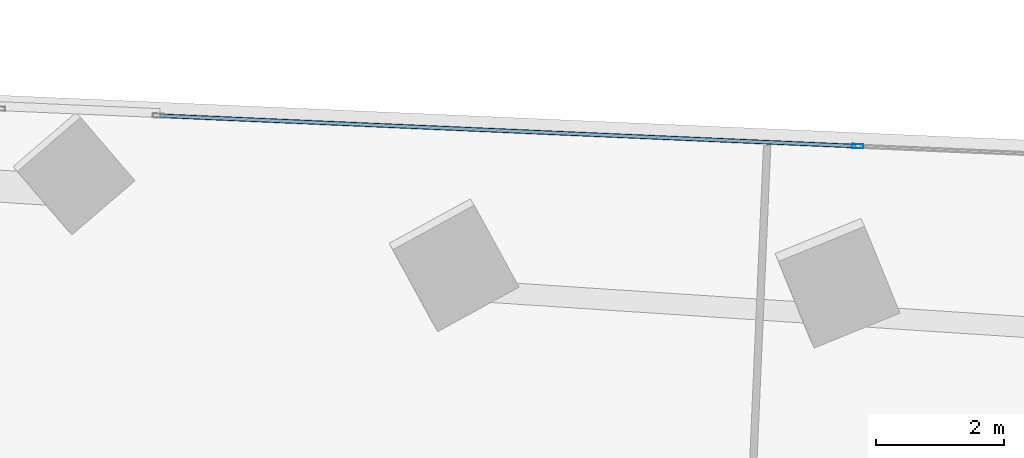
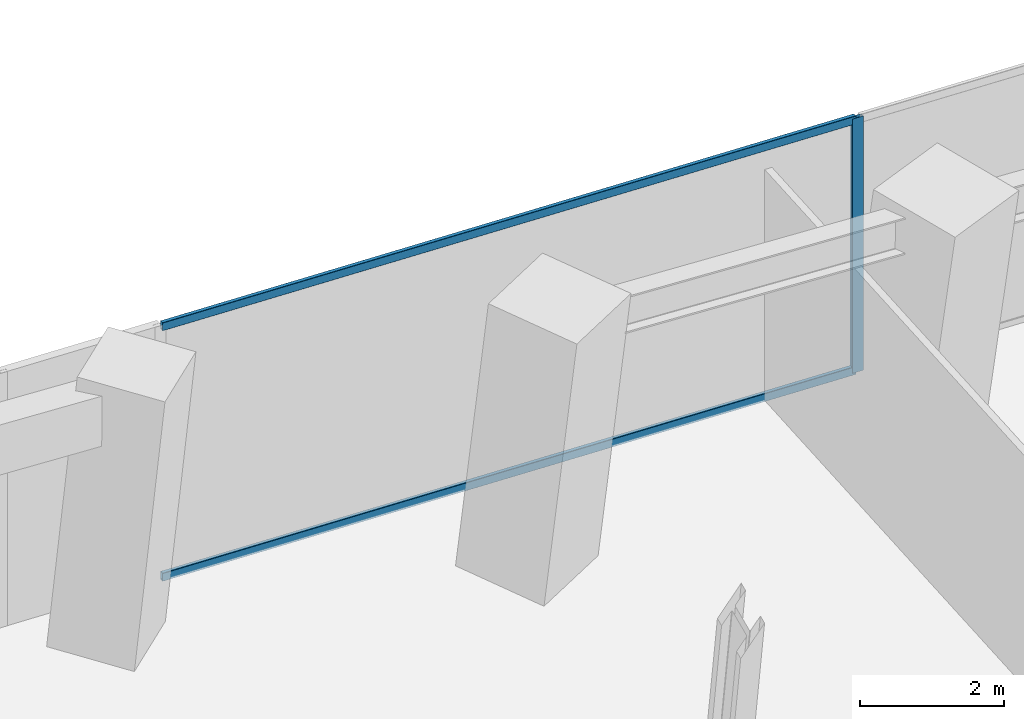
# One storey, part 19 of 27: 3 members, 1 element without a shape of its own.
"""IFC4 building model written with IfcOpenShell, lengths in metres."""

from ifc_helpers import new_model, si_unit, direction, frame, origin, origin_2d, place, context, subcontext, project, spatial, hollow_rectangle, extrude, source, transform, mapped, material, material_profile, profile_set, type_object, element, aggregate, save


model = new_model("IFC4")

# Units and contexts
model_context = context("Model", 3, precision=1e-05, world=origin(), true_north=direction((0.0, 1.0)))
body_context = subcontext(model_context, "Body", "Model", "MODEL_VIEW")
ifc_project = project(units=[si_unit("LENGTHUNIT", "METRE"), si_unit("AREAUNIT", "SQUARE_METRE"), si_unit("VOLUMEUNIT", "CUBIC_METRE"), si_unit("PLANEANGLEUNIT", "RADIAN"), si_unit("MASSUNIT", "GRAM", prefix="KILO")], contexts=[model_context])

# Site, building, storey
site_placement = place(None, origin())
site = spatial("IfcSite", under=ifc_project, at=site_placement, CompositionType="ELEMENT")
building_placement = place(site_placement, origin())
building = spatial("IfcBuilding", under=site, at=building_placement, Name="Torre Montelarca", CompositionType="ELEMENT")
storey_placement = place(building_placement, frame((0.0, 0.0, 37.60009765625)))
storey = spatial("IfcBuildingStorey", under=building, at=storey_placement, Name="L08", CompositionType="ELEMENT", Elevation=37.60009765625)

# Curtain wall, members
ifc_material_1 = material(Name="Insulated low-E laminated glass", Category="glass")
curtain_wall_type = type_object("IfcCurtainWallType", Name="CW-SYS-Z1", PredefinedType="USERDEFINED", material=ifc_material_1)
curtain_wall_placement = place(storey_placement, origin())
curtain_wall = element("IfcCurtainWall", 1, at=curtain_wall_placement, inside=storey, type_object=curtain_wall_type, Name="L08 Curtain Wall Run CW-T3-L08-E08-B1", ObjectType="UNITISED GLAZING", PredefinedType="USERDEFINED")
ifc_material_2 = material(Name="Anodised aluminium AA 6063-T6", Category="aluminium")
ifc_material_profile_1 = material_profile(ifc_material_2, hollow_rectangle(XDim=0.06494140625, YDim=0.179931640625, WallThickness=0.00390625, InnerFilletRadius=0.00390625, OuterFilletRadius=0.008056640625, at=origin_2d()), Name="ALU65X180X4", Category="aluminium")
ifc_profile_set_1 = profile_set([ifc_material_profile_1], Name="Anodised aluminium AA 6063-T6")
member_type_1 = type_object("IfcMemberType", Name="CWM-ALU180", PredefinedType="MULLION", material=ifc_profile_set_1)
shared_shape_1 = source(origin(), body_context, "Body", "SweptSolid", [
    extrude(hollow_rectangle(XDim=0.06494140625, YDim=0.179931640625, WallThickness=0.00390625, InnerFilletRadius=0.00390625, OuterFilletRadius=0.008056640625, at=origin_2d()), origin(), (0.0, 0.0, 1.0), 4.31982421875),
])
member_1_placement = place(storey_placement, frame((48.939208984375, 46.88720703125, 0.0), z_axis=(0.0, 0.0, 1.0), x_axis=(-0.043617607028, -0.999048299311, 0.0)))
member_1 = element("IfcMember", 2, at=member_1_placement, type_object=member_type_1, Name="CW mullion 2", PredefinedType="MULLION", context=body_context, shape_type="MappedRepresentation", body=[
    mapped(shared_shape_1, transform((0.0, 0.0, 0.0), scale=1.0)),
])
ifc_material_profile_2 = material_profile(ifc_material_2, hollow_rectangle(XDim=0.06494140625, YDim=0.139892578125, WallThickness=0.00390625, InnerFilletRadius=0.00390625, OuterFilletRadius=0.008056640625, at=origin_2d()), Name="ALU65X140X4", Category="aluminium")
ifc_profile_set_2 = profile_set([ifc_material_profile_2], Name="Anodised aluminium AA 6063-T6")
member_type_2 = type_object("IfcMemberType", Name="CWT-ALU140", PredefinedType="USERDEFINED", material=ifc_profile_set_2)
shared_shape_2 = source(origin(), body_context, "Body", "SweptSolid", [
    extrude(hollow_rectangle(XDim=0.06494140625, YDim=0.139892578125, WallThickness=0.00390625, InnerFilletRadius=0.00390625, OuterFilletRadius=0.008056640625, at=origin_2d()), origin(), (0.0, 0.0, 1.0), 10.87255859375),
])
member_2_placement = place(storey_placement, frame((48.90673828125, 46.888671875, 0.032470703125), z_axis=(-0.999047793599, 0.043629188685, 0.0), x_axis=(-0.043629188685, -0.999047793599, 0.0)))
member_2 = element("IfcMember", 3, at=member_2_placement, type_object=member_type_2, Name="CW transom 2.1", ObjectType="TRANSOM", PredefinedType="USERDEFINED", context=body_context, shape_type="MappedRepresentation", body=[
    mapped(shared_shape_2, transform((0.0, 0.0, 0.0), scale=1.0)),
])
member_3_placement = place(storey_placement, frame((48.90673828125, 46.888671875, 4.287353515625), z_axis=(-0.999047793599, 0.043629188685, 0.0), x_axis=(-0.043629188685, -0.999047793599, 0.0)))
member_3 = element("IfcMember", 4, at=member_3_placement, type_object=member_type_2, Name="CW transom 2.2", ObjectType="TRANSOM", PredefinedType="USERDEFINED", context=body_context, shape_type="MappedRepresentation", body=[
    mapped(shared_shape_2, transform((0.0, 0.0, 0.0), scale=1.0)),
])
aggregate(curtain_wall, [member_1, member_2, member_3])

save(model, "model.ifc")
